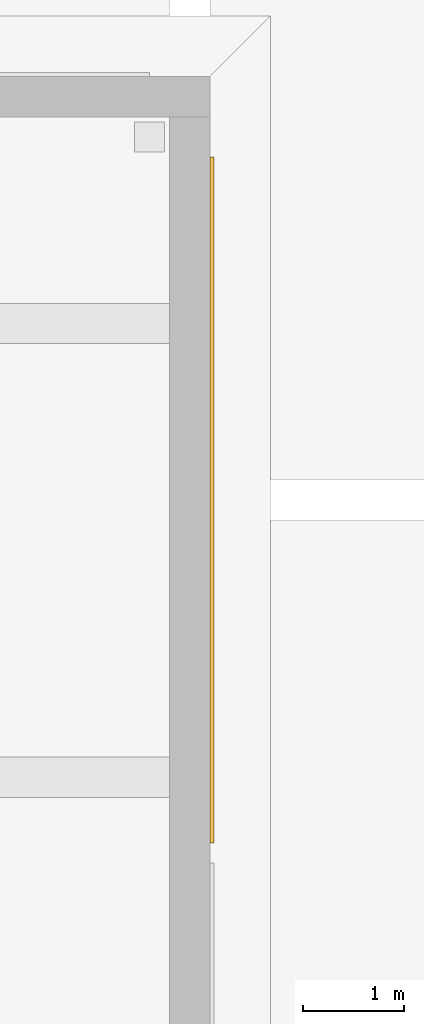
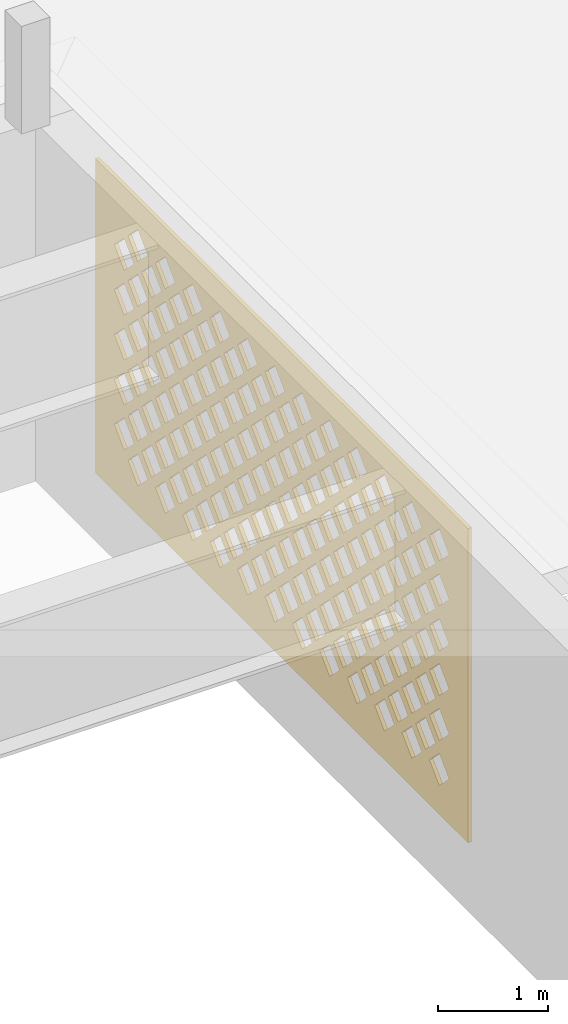
# One storey, part 33 of 63: 1 covering.
"""IFC4 building model written with IfcOpenShell, lengths in metres."""

from ifc_helpers import new_model, si_unit, direction, frame, origin, place, context, subcontext, project, spatial, polyline, outline, extrude, material, layer, layer_set, type_object, element, save


model = new_model("IFC4")

# Units and contexts
model_context = context("Model", 3, precision=1e-05, world=origin(), true_north=direction((0.0, 1.0)))
body_context = subcontext(model_context, "Body", "Model", "MODEL_VIEW")
ifc_project = project(units=[si_unit("LENGTHUNIT", "METRE"), si_unit("AREAUNIT", "SQUARE_METRE"), si_unit("VOLUMEUNIT", "CUBIC_METRE"), si_unit("PLANEANGLEUNIT", "RADIAN"), si_unit("MASSUNIT", "GRAM", prefix="KILO")], contexts=[model_context])

# Site, building, storey
site_placement = place(None, origin())
site = spatial("IfcSite", under=ifc_project, at=site_placement, CompositionType="ELEMENT")
building_placement = place(site_placement, origin())
building = spatial("IfcBuilding", under=site, at=building_placement, Name="Noorbagh Ring Tower", CompositionType="ELEMENT")
storey_placement = place(building_placement, frame((0.0, 0.0, 25.0)))
storey = spatial("IfcBuildingStorey", under=building, at=storey_placement, Name="L04", CompositionType="ELEMENT", Elevation=25.0)

# Covering
ifc_material = material(Name="Red sandstone jali", Category="masonry")
ifc_layer = layer(ifc_material, 0.0400390625)
ifc_layer_set = layer_set([ifc_layer], Name="Red sandstone jali")
covering_type = type_object("IfcCoveringType", Name="STH-BAND", PredefinedType="USERDEFINED", material=ifc_layer_set)
covering_placement = place(storey_placement, frame((-139.760009765625, 15.60009765625, 0.199951171875), z_axis=(1.0, 0.0, 0.0), x_axis=(0.0, 1.0, 0.0)))
element("IfcCovering", 1, at=covering_placement, inside=storey, type_object=covering_type, Name="Jali band of the stage house", ObjectType="JALI SCREEN", PredefinedType="USERDEFINED", context=body_context, shape_type="SweptSolid", body=[
    extrude(outline(polyline([(0.0, 0.0), (6.7998046875, 0.0), (6.7998046875, 3.5), (0.0, 3.5), (0.0, 0.0)]), holes=[polyline([(0.344970703125, 0.5), (0.52490234375, 0.320068359375), (0.705078125, 0.5), (0.52490234375, 0.679931640625), (0.344970703125, 0.5)]), polyline([(0.844970703125, 0.5), (1.02490234375, 0.320068359375), (1.205078125, 0.5), (1.02490234375, 0.679931640625), (0.844970703125, 0.5)]), polyline([(1.344970703125, 0.5), (1.52490234375, 0.320068359375), (1.705078125, 0.5), (1.52490234375, 0.679931640625), (1.344970703125, 0.5)]), polyline([(1.844970703125, 0.5), (2.02490234375, 0.320068359375), (2.205078125, 0.5), (2.02490234375, 0.679931640625), (1.844970703125, 0.5)]), polyline([(2.344970703125, 0.5), (2.52490234375, 0.320068359375), (2.705078125, 0.5), (2.52490234375, 0.679931640625), (2.344970703125, 0.5)]), polyline([(2.844970703125, 0.5), (3.02490234375, 0.320068359375), (3.205078125, 0.5), (3.02490234375, 0.679931640625), (2.844970703125, 0.5)]), polyline([(3.344970703125, 0.5), (3.52490234375, 0.320068359375), (3.705078125, 0.5), (3.52490234375, 0.679931640625), (3.344970703125, 0.5)]), polyline([(3.844970703125, 0.5), (4.02490234375, 0.320068359375), (4.205078125, 0.5), (4.02490234375, 0.679931640625), (3.844970703125, 0.5)]), polyline([(4.344970703125, 0.5), (4.52490234375, 0.320068359375), (4.705078125, 0.5), (4.52490234375, 0.679931640625), (4.344970703125, 0.5)]), polyline([(4.844970703125, 0.5), (5.02490234375, 0.320068359375), (5.205078125, 0.5), (5.02490234375, 0.679931640625), (4.844970703125, 0.5)]), polyline([(5.344970703125, 0.5), (5.52490234375, 0.320068359375), (5.705078125, 0.5), (5.52490234375, 0.679931640625), (5.344970703125, 0.5)]), polyline([(5.844970703125, 0.5), (6.02490234375, 0.320068359375), (6.205078125, 0.5), (6.02490234375, 0.679931640625), (5.844970703125, 0.5)]), polyline([(0.594970703125, 0.75), (0.77490234375, 0.570068359375), (0.955078125, 0.75), (0.77490234375, 0.929931640625), (0.594970703125, 0.75)]), polyline([(1.094970703125, 0.75), (1.27490234375, 0.570068359375), (1.455078125, 0.75), (1.27490234375, 0.929931640625), (1.094970703125, 0.75)]), polyline([(1.594970703125, 0.75), (1.77490234375, 0.570068359375), (1.955078125, 0.75), (1.77490234375, 0.929931640625), (1.594970703125, 0.75)]), polyline([(2.094970703125, 0.75), (2.27490234375, 0.570068359375), (2.455078125, 0.75), (2.27490234375, 0.929931640625), (2.094970703125, 0.75)]), polyline([(2.594970703125, 0.75), (2.77490234375, 0.570068359375), (2.955078125, 0.75), (2.77490234375, 0.929931640625), (2.594970703125, 0.75)]), polyline([(3.094970703125, 0.75), (3.27490234375, 0.570068359375), (3.455078125, 0.75), (3.27490234375, 0.929931640625), (3.094970703125, 0.75)]), polyline([(3.594970703125, 0.75), (3.77490234375, 0.570068359375), (3.955078125, 0.75), (3.77490234375, 0.929931640625), (3.594970703125, 0.75)]), polyline([(4.094970703125, 0.75), (4.27490234375, 0.570068359375), (4.455078125, 0.75), (4.27490234375, 0.929931640625), (4.094970703125, 0.75)]), polyline([(4.594970703125, 0.75), (4.77490234375, 0.570068359375), (4.955078125, 0.75), (4.77490234375, 0.929931640625), (4.594970703125, 0.75)]), polyline([(5.094970703125, 0.75), (5.27490234375, 0.570068359375), (5.455078125, 0.75), (5.27490234375, 0.929931640625), (5.094970703125, 0.75)]), polyline([(5.594970703125, 0.75), (5.77490234375, 0.570068359375), (5.955078125, 0.75), (5.77490234375, 0.929931640625), (5.594970703125, 0.75)]), polyline([(6.094970703125, 0.75), (6.27490234375, 0.570068359375), (6.455078125, 0.75), (6.27490234375, 0.929931640625), (6.094970703125, 0.75)]), polyline([(0.344970703125, 1.0), (0.52490234375, 0.820068359375), (0.705078125, 1.0), (0.52490234375, 1.179931640625), (0.344970703125, 1.0)]), polyline([(0.844970703125, 1.0), (1.02490234375, 0.820068359375), (1.205078125, 1.0), (1.02490234375, 1.179931640625), (0.844970703125, 1.0)]), polyline([(1.344970703125, 1.0), (1.52490234375, 0.820068359375), (1.705078125, 1.0), (1.52490234375, 1.179931640625), (1.344970703125, 1.0)]), polyline([(1.844970703125, 1.0), (2.02490234375, 0.820068359375), (2.205078125, 1.0), (2.02490234375, 1.179931640625), (1.844970703125, 1.0)]), polyline([(2.344970703125, 1.0), (2.52490234375, 0.820068359375), (2.705078125, 1.0), (2.52490234375, 1.179931640625), (2.344970703125, 1.0)]), polyline([(2.844970703125, 1.0), (3.02490234375, 0.820068359375), (3.205078125, 1.0), (3.02490234375, 1.179931640625), (2.844970703125, 1.0)]), polyline([(3.344970703125, 1.0), (3.52490234375, 0.820068359375), (3.705078125, 1.0), (3.52490234375, 1.179931640625), (3.344970703125, 1.0)]), polyline([(3.844970703125, 1.0), (4.02490234375, 0.820068359375), (4.205078125, 1.0), (4.02490234375, 1.179931640625), (3.844970703125, 1.0)]), polyline([(4.344970703125, 1.0), (4.52490234375, 0.820068359375), (4.705078125, 1.0), (4.52490234375, 1.179931640625), (4.344970703125, 1.0)]), polyline([(4.844970703125, 1.0), (5.02490234375, 0.820068359375), (5.205078125, 1.0), (5.02490234375, 1.179931640625), (4.844970703125, 1.0)]), polyline([(5.344970703125, 1.0), (5.52490234375, 0.820068359375), (5.705078125, 1.0), (5.52490234375, 1.179931640625), (5.344970703125, 1.0)]), polyline([(5.844970703125, 1.0), (6.02490234375, 0.820068359375), (6.205078125, 1.0), (6.02490234375, 1.179931640625), (5.844970703125, 1.0)]), polyline([(0.594970703125, 1.25), (0.77490234375, 1.070068359375), (0.955078125, 1.25), (0.77490234375, 1.429931640625), (0.594970703125, 1.25)]), polyline([(1.094970703125, 1.25), (1.27490234375, 1.070068359375), (1.455078125, 1.25), (1.27490234375, 1.429931640625), (1.094970703125, 1.25)]), polyline([(1.594970703125, 1.25), (1.77490234375, 1.070068359375), (1.955078125, 1.25), (1.77490234375, 1.429931640625), (1.594970703125, 1.25)]), polyline([(2.094970703125, 1.25), (2.27490234375, 1.070068359375), (2.455078125, 1.25), (2.27490234375, 1.429931640625), (2.094970703125, 1.25)]), polyline([(2.594970703125, 1.25), (2.77490234375, 1.070068359375), (2.955078125, 1.25), (2.77490234375, 1.429931640625), (2.594970703125, 1.25)]), polyline([(3.094970703125, 1.25), (3.27490234375, 1.070068359375), (3.455078125, 1.25), (3.27490234375, 1.429931640625), (3.094970703125, 1.25)]), polyline([(3.594970703125, 1.25), (3.77490234375, 1.070068359375), (3.955078125, 1.25), (3.77490234375, 1.429931640625), (3.594970703125, 1.25)]), polyline([(4.094970703125, 1.25), (4.27490234375, 1.070068359375), (4.455078125, 1.25), (4.27490234375, 1.429931640625), (4.094970703125, 1.25)]), polyline([(4.594970703125, 1.25), (4.77490234375, 1.070068359375), (4.955078125, 1.25), (4.77490234375, 1.429931640625), (4.594970703125, 1.25)]), polyline([(5.094970703125, 1.25), (5.27490234375, 1.070068359375), (5.455078125, 1.25), (5.27490234375, 1.429931640625), (5.094970703125, 1.25)]), polyline([(5.594970703125, 1.25), (5.77490234375, 1.070068359375), (5.955078125, 1.25), (5.77490234375, 1.429931640625), (5.594970703125, 1.25)]), polyline([(6.094970703125, 1.25), (6.27490234375, 1.070068359375), (6.455078125, 1.25), (6.27490234375, 1.429931640625), (6.094970703125, 1.25)]), polyline([(0.344970703125, 1.5), (0.52490234375, 1.320068359375), (0.705078125, 1.5), (0.52490234375, 1.679931640625), (0.344970703125, 1.5)]), polyline([(0.844970703125, 1.5), (1.02490234375, 1.320068359375), (1.205078125, 1.5), (1.02490234375, 1.679931640625), (0.844970703125, 1.5)]), polyline([(1.344970703125, 1.5), (1.52490234375, 1.320068359375), (1.705078125, 1.5), (1.52490234375, 1.679931640625), (1.344970703125, 1.5)]), polyline([(1.844970703125, 1.5), (2.02490234375, 1.320068359375), (2.205078125, 1.5), (2.02490234375, 1.679931640625), (1.844970703125, 1.5)]), polyline([(2.344970703125, 1.5), (2.52490234375, 1.320068359375), (2.705078125, 1.5), (2.52490234375, 1.679931640625), (2.344970703125, 1.5)]), polyline([(2.844970703125, 1.5), (3.02490234375, 1.320068359375), (3.205078125, 1.5), (3.02490234375, 1.679931640625), (2.844970703125, 1.5)]), polyline([(3.344970703125, 1.5), (3.52490234375, 1.320068359375), (3.705078125, 1.5), (3.52490234375, 1.679931640625), (3.344970703125, 1.5)]), polyline([(3.844970703125, 1.5), (4.02490234375, 1.320068359375), (4.205078125, 1.5), (4.02490234375, 1.679931640625), (3.844970703125, 1.5)]), polyline([(4.344970703125, 1.5), (4.52490234375, 1.320068359375), (4.705078125, 1.5), (4.52490234375, 1.679931640625), (4.344970703125, 1.5)]), polyline([(4.844970703125, 1.5), (5.02490234375, 1.320068359375), (5.205078125, 1.5), (5.02490234375, 1.679931640625), (4.844970703125, 1.5)]), polyline([(5.344970703125, 1.5), (5.52490234375, 1.320068359375), (5.705078125, 1.5), (5.52490234375, 1.679931640625), (5.344970703125, 1.5)]), polyline([(5.844970703125, 1.5), (6.02490234375, 1.320068359375), (6.205078125, 1.5), (6.02490234375, 1.679931640625), (5.844970703125, 1.5)]), polyline([(0.594970703125, 1.75), (0.77490234375, 1.570068359375), (0.955078125, 1.75), (0.77490234375, 1.929931640625), (0.594970703125, 1.75)]), polyline([(1.094970703125, 1.75), (1.27490234375, 1.570068359375), (1.455078125, 1.75), (1.27490234375, 1.929931640625), (1.094970703125, 1.75)]), polyline([(1.594970703125, 1.75), (1.77490234375, 1.570068359375), (1.955078125, 1.75), (1.77490234375, 1.929931640625), (1.594970703125, 1.75)]), polyline([(2.094970703125, 1.75), (2.27490234375, 1.570068359375), (2.455078125, 1.75), (2.27490234375, 1.929931640625), (2.094970703125, 1.75)]), polyline([(2.594970703125, 1.75), (2.77490234375, 1.570068359375), (2.955078125, 1.75), (2.77490234375, 1.929931640625), (2.594970703125, 1.75)]), polyline([(3.094970703125, 1.75), (3.27490234375, 1.570068359375), (3.455078125, 1.75), (3.27490234375, 1.929931640625), (3.094970703125, 1.75)]), polyline([(3.594970703125, 1.75), (3.77490234375, 1.570068359375), (3.955078125, 1.75), (3.77490234375, 1.929931640625), (3.594970703125, 1.75)]), polyline([(4.094970703125, 1.75), (4.27490234375, 1.570068359375), (4.455078125, 1.75), (4.27490234375, 1.929931640625), (4.094970703125, 1.75)]), polyline([(4.594970703125, 1.75), (4.77490234375, 1.570068359375), (4.955078125, 1.75), (4.77490234375, 1.929931640625), (4.594970703125, 1.75)]), polyline([(5.094970703125, 1.75), (5.27490234375, 1.570068359375), (5.455078125, 1.75), (5.27490234375, 1.929931640625), (5.094970703125, 1.75)]), polyline([(5.594970703125, 1.75), (5.77490234375, 1.570068359375), (5.955078125, 1.75), (5.77490234375, 1.929931640625), (5.594970703125, 1.75)]), polyline([(6.094970703125, 1.75), (6.27490234375, 1.570068359375), (6.455078125, 1.75), (6.27490234375, 1.929931640625), (6.094970703125, 1.75)]), polyline([(0.344970703125, 2.0), (0.52490234375, 1.820068359375), (0.705078125, 2.0), (0.52490234375, 2.179931640625), (0.344970703125, 2.0)]), polyline([(0.844970703125, 2.0), (1.02490234375, 1.820068359375), (1.205078125, 2.0), (1.02490234375, 2.179931640625), (0.844970703125, 2.0)]), polyline([(1.344970703125, 2.0), (1.52490234375, 1.820068359375), (1.705078125, 2.0), (1.52490234375, 2.179931640625), (1.344970703125, 2.0)]), polyline([(1.844970703125, 2.0), (2.02490234375, 1.820068359375), (2.205078125, 2.0), (2.02490234375, 2.179931640625), (1.844970703125, 2.0)]), polyline([(2.344970703125, 2.0), (2.52490234375, 1.820068359375), (2.705078125, 2.0), (2.52490234375, 2.179931640625), (2.344970703125, 2.0)]), polyline([(2.844970703125, 2.0), (3.02490234375, 1.820068359375), (3.205078125, 2.0), (3.02490234375, 2.179931640625), (2.844970703125, 2.0)]), polyline([(3.344970703125, 2.0), (3.52490234375, 1.820068359375), (3.705078125, 2.0), (3.52490234375, 2.179931640625), (3.344970703125, 2.0)]), polyline([(3.844970703125, 2.0), (4.02490234375, 1.820068359375), (4.205078125, 2.0), (4.02490234375, 2.179931640625), (3.844970703125, 2.0)]), polyline([(4.344970703125, 2.0), (4.52490234375, 1.820068359375), (4.705078125, 2.0), (4.52490234375, 2.179931640625), (4.344970703125, 2.0)]), polyline([(4.844970703125, 2.0), (5.02490234375, 1.820068359375), (5.205078125, 2.0), (5.02490234375, 2.179931640625), (4.844970703125, 2.0)]), polyline([(5.344970703125, 2.0), (5.52490234375, 1.820068359375), (5.705078125, 2.0), (5.52490234375, 2.179931640625), (5.344970703125, 2.0)]), polyline([(5.844970703125, 2.0), (6.02490234375, 1.820068359375), (6.205078125, 2.0), (6.02490234375, 2.179931640625), (5.844970703125, 2.0)]), polyline([(0.594970703125, 2.25), (0.77490234375, 2.070068359375), (0.955078125, 2.25), (0.77490234375, 2.429931640625), (0.594970703125, 2.25)]), polyline([(1.094970703125, 2.25), (1.27490234375, 2.070068359375), (1.455078125, 2.25), (1.27490234375, 2.429931640625), (1.094970703125, 2.25)]), polyline([(1.594970703125, 2.25), (1.77490234375, 2.070068359375), (1.955078125, 2.25), (1.77490234375, 2.429931640625), (1.594970703125, 2.25)]), polyline([(2.094970703125, 2.25), (2.27490234375, 2.070068359375), (2.455078125, 2.25), (2.27490234375, 2.429931640625), (2.094970703125, 2.25)]), polyline([(2.594970703125, 2.25), (2.77490234375, 2.070068359375), (2.955078125, 2.25), (2.77490234375, 2.429931640625), (2.594970703125, 2.25)]), polyline([(3.094970703125, 2.25), (3.27490234375, 2.070068359375), (3.455078125, 2.25), (3.27490234375, 2.429931640625), (3.094970703125, 2.25)]), polyline([(3.594970703125, 2.25), (3.77490234375, 2.070068359375), (3.955078125, 2.25), (3.77490234375, 2.429931640625), (3.594970703125, 2.25)]), polyline([(4.094970703125, 2.25), (4.27490234375, 2.070068359375), (4.455078125, 2.25), (4.27490234375, 2.429931640625), (4.094970703125, 2.25)]), polyline([(4.594970703125, 2.25), (4.77490234375, 2.070068359375), (4.955078125, 2.25), (4.77490234375, 2.429931640625), (4.594970703125, 2.25)]), polyline([(5.094970703125, 2.25), (5.27490234375, 2.070068359375), (5.455078125, 2.25), (5.27490234375, 2.429931640625), (5.094970703125, 2.25)]), polyline([(5.594970703125, 2.25), (5.77490234375, 2.070068359375), (5.955078125, 2.25), (5.77490234375, 2.429931640625), (5.594970703125, 2.25)]), polyline([(6.094970703125, 2.25), (6.27490234375, 2.070068359375), (6.455078125, 2.25), (6.27490234375, 2.429931640625), (6.094970703125, 2.25)]), polyline([(0.344970703125, 2.5), (0.52490234375, 2.320068359375), (0.705078125, 2.5), (0.52490234375, 2.679931640625), (0.344970703125, 2.5)]), polyline([(0.844970703125, 2.5), (1.02490234375, 2.320068359375), (1.205078125, 2.5), (1.02490234375, 2.679931640625), (0.844970703125, 2.5)]), polyline([(1.344970703125, 2.5), (1.52490234375, 2.320068359375), (1.705078125, 2.5), (1.52490234375, 2.679931640625), (1.344970703125, 2.5)]), polyline([(1.844970703125, 2.5), (2.02490234375, 2.320068359375), (2.205078125, 2.5), (2.02490234375, 2.679931640625), (1.844970703125, 2.5)]), polyline([(2.344970703125, 2.5), (2.52490234375, 2.320068359375), (2.705078125, 2.5), (2.52490234375, 2.679931640625), (2.344970703125, 2.5)]), polyline([(2.844970703125, 2.5), (3.02490234375, 2.320068359375), (3.205078125, 2.5), (3.02490234375, 2.679931640625), (2.844970703125, 2.5)]), polyline([(3.344970703125, 2.5), (3.52490234375, 2.320068359375), (3.705078125, 2.5), (3.52490234375, 2.679931640625), (3.344970703125, 2.5)]), polyline([(3.844970703125, 2.5), (4.02490234375, 2.320068359375), (4.205078125, 2.5), (4.02490234375, 2.679931640625), (3.844970703125, 2.5)]), polyline([(4.344970703125, 2.5), (4.52490234375, 2.320068359375), (4.705078125, 2.5), (4.52490234375, 2.679931640625), (4.344970703125, 2.5)]), polyline([(4.844970703125, 2.5), (5.02490234375, 2.320068359375), (5.205078125, 2.5), (5.02490234375, 2.679931640625), (4.844970703125, 2.5)]), polyline([(5.344970703125, 2.5), (5.52490234375, 2.320068359375), (5.705078125, 2.5), (5.52490234375, 2.679931640625), (5.344970703125, 2.5)]), polyline([(5.844970703125, 2.5), (6.02490234375, 2.320068359375), (6.205078125, 2.5), (6.02490234375, 2.679931640625), (5.844970703125, 2.5)]), polyline([(0.594970703125, 2.75), (0.77490234375, 2.570068359375), (0.955078125, 2.75), (0.77490234375, 2.929931640625), (0.594970703125, 2.75)]), polyline([(1.094970703125, 2.75), (1.27490234375, 2.570068359375), (1.455078125, 2.75), (1.27490234375, 2.929931640625), (1.094970703125, 2.75)]), polyline([(1.594970703125, 2.75), (1.77490234375, 2.570068359375), (1.955078125, 2.75), (1.77490234375, 2.929931640625), (1.594970703125, 2.75)]), polyline([(2.094970703125, 2.75), (2.27490234375, 2.570068359375), (2.455078125, 2.75), (2.27490234375, 2.929931640625), (2.094970703125, 2.75)]), polyline([(2.594970703125, 2.75), (2.77490234375, 2.570068359375), (2.955078125, 2.75), (2.77490234375, 2.929931640625), (2.594970703125, 2.75)]), polyline([(3.094970703125, 2.75), (3.27490234375, 2.570068359375), (3.455078125, 2.75), (3.27490234375, 2.929931640625), (3.094970703125, 2.75)]), polyline([(3.594970703125, 2.75), (3.77490234375, 2.570068359375), (3.955078125, 2.75), (3.77490234375, 2.929931640625), (3.594970703125, 2.75)]), polyline([(4.094970703125, 2.75), (4.27490234375, 2.570068359375), (4.455078125, 2.75), (4.27490234375, 2.929931640625), (4.094970703125, 2.75)]), polyline([(4.594970703125, 2.75), (4.77490234375, 2.570068359375), (4.955078125, 2.75), (4.77490234375, 2.929931640625), (4.594970703125, 2.75)]), polyline([(5.094970703125, 2.75), (5.27490234375, 2.570068359375), (5.455078125, 2.75), (5.27490234375, 2.929931640625), (5.094970703125, 2.75)]), polyline([(5.594970703125, 2.75), (5.77490234375, 2.570068359375), (5.955078125, 2.75), (5.77490234375, 2.929931640625), (5.594970703125, 2.75)]), polyline([(6.094970703125, 2.75), (6.27490234375, 2.570068359375), (6.455078125, 2.75), (6.27490234375, 2.929931640625), (6.094970703125, 2.75)]), polyline([(0.344970703125, 3.0), (0.52490234375, 2.820068359375), (0.705078125, 3.0), (0.52490234375, 3.179931640625), (0.344970703125, 3.0)]), polyline([(0.844970703125, 3.0), (1.02490234375, 2.820068359375), (1.205078125, 3.0), (1.02490234375, 3.179931640625), (0.844970703125, 3.0)]), polyline([(1.344970703125, 3.0), (1.52490234375, 2.820068359375), (1.705078125, 3.0), (1.52490234375, 3.179931640625), (1.344970703125, 3.0)]), polyline([(1.844970703125, 3.0), (2.02490234375, 2.820068359375), (2.205078125, 3.0), (2.02490234375, 3.179931640625), (1.844970703125, 3.0)]), polyline([(2.344970703125, 3.0), (2.52490234375, 2.820068359375), (2.705078125, 3.0), (2.52490234375, 3.179931640625), (2.344970703125, 3.0)]), polyline([(2.844970703125, 3.0), (3.02490234375, 2.820068359375), (3.205078125, 3.0), (3.02490234375, 3.179931640625), (2.844970703125, 3.0)]), polyline([(3.344970703125, 3.0), (3.52490234375, 2.820068359375), (3.705078125, 3.0), (3.52490234375, 3.179931640625), (3.344970703125, 3.0)]), polyline([(3.844970703125, 3.0), (4.02490234375, 2.820068359375), (4.205078125, 3.0), (4.02490234375, 3.179931640625), (3.844970703125, 3.0)]), polyline([(4.344970703125, 3.0), (4.52490234375, 2.820068359375), (4.705078125, 3.0), (4.52490234375, 3.179931640625), (4.344970703125, 3.0)]), polyline([(4.844970703125, 3.0), (5.02490234375, 2.820068359375), (5.205078125, 3.0), (5.02490234375, 3.179931640625), (4.844970703125, 3.0)]), polyline([(5.344970703125, 3.0), (5.52490234375, 2.820068359375), (5.705078125, 3.0), (5.52490234375, 3.179931640625), (5.344970703125, 3.0)]), polyline([(5.844970703125, 3.0), (6.02490234375, 2.820068359375), (6.205078125, 3.0), (6.02490234375, 3.179931640625), (5.844970703125, 3.0)])]), origin(), (0.0, 0.0, -1.0), 0.0400390625),
])

save(model, "model.ifc")
